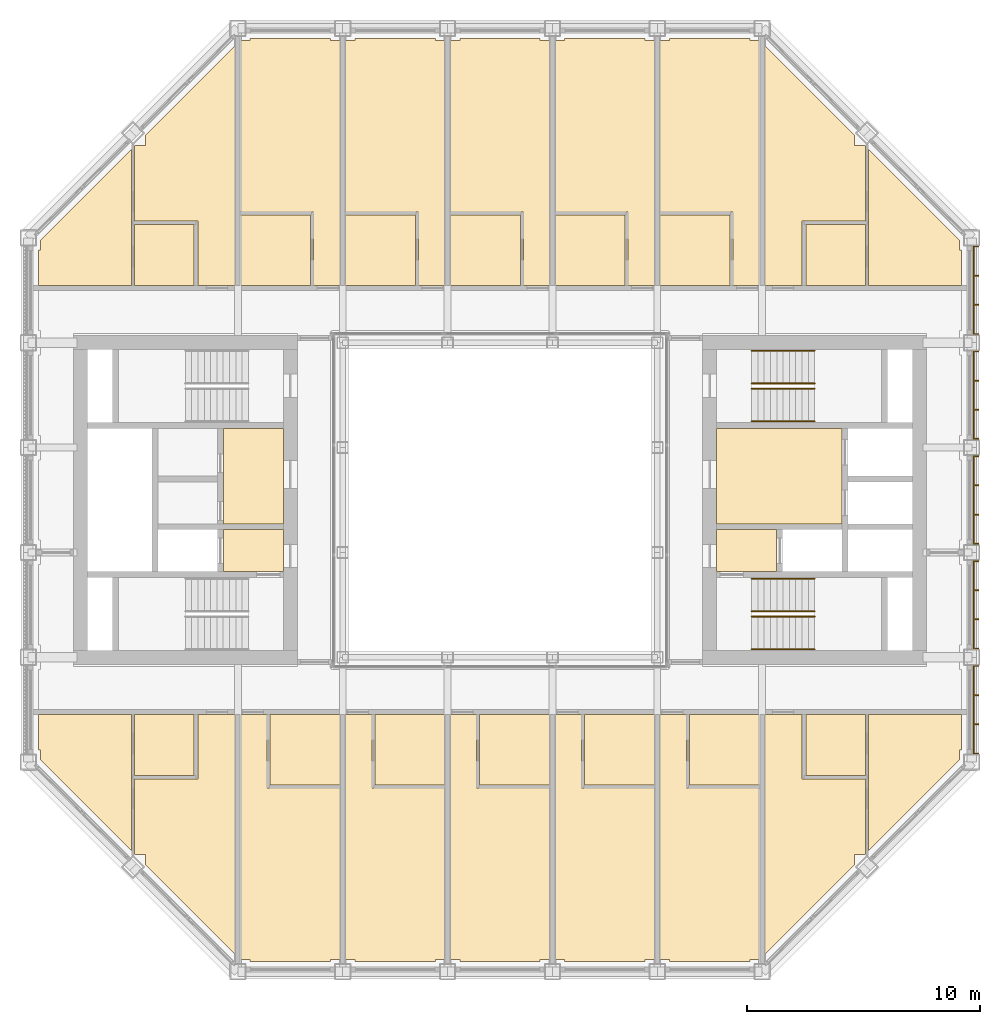
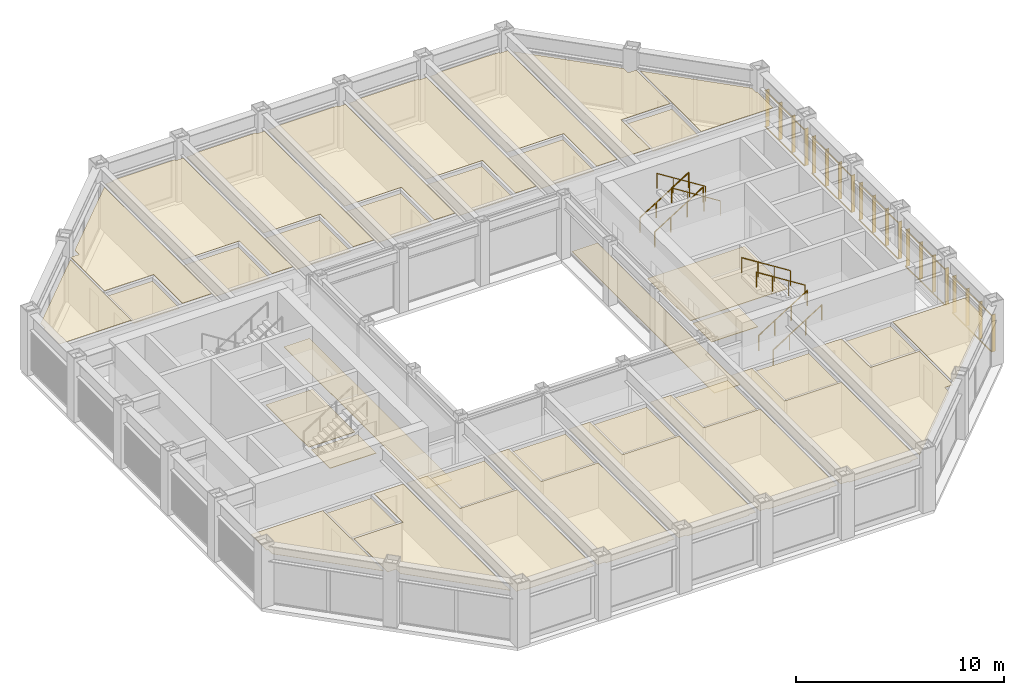
# One storey, part 17 of 18: 8 railings, 3 coverings, 1 shading device.
"""IFC4 building model written with IfcOpenShell, lengths in metres."""

import ifcopenshell
import ifcopenshell.guid

model = None  # the IFC model being written
_history = None  # IfcOwnerHistory: only IFC2X3 demands one
_inside = {}  # id of a spatial element -> (the spatial element, [elements in it])
_under = {}  # id of a project, library or spatial element -> (it, [spatial elements below it])
_declared = {}  # id of a project -> (the project, [libraries it declares])
_typed = {}  # id of a type object -> (the type object, [elements of that type])
_made_of = {}  # id of a material, layer set ... -> (it, [elements and type objects made of it])


def new_model(schema):
    """Start an empty IFC model of exactly this schema.

    Asked for "IFC4X3", IfcOpenShell would pick the latest addendum, in which some entities
    have other attributes; the version numbers below select the first issue.
    IFC2X3 requires an IfcOwnerHistory on every rooted entity: one is made here for all.
    """
    global model, _history
    if schema == "IFC4X3":
        model = ifcopenshell.file(schema_version=(4, 3, 0, 0))
    else:
        model = ifcopenshell.file(schema=schema)
    _inside.clear()
    _under.clear()
    _declared.clear()
    _typed.clear()
    _made_of.clear()
    _history = None
    if model.schema == "IFC2X3":
        org = make("IfcOrganization", Name="unknown")
        user = make(
            "IfcPersonAndOrganization",
            ThePerson=make("IfcPerson", FamilyName="unknown"),
            TheOrganization=org,
        )
        app = make(
            "IfcApplication",
            ApplicationDeveloper=org,
            Version="unknown",
            ApplicationFullName="unknown",
            ApplicationIdentifier="unknown",
        )
        _history = make(
            "IfcOwnerHistory",
            OwningUser=user,
            OwningApplication=app,
            ChangeAction="ADDED",
            CreationDate=0,
        )
    return model


def make(cls, **values):
    """One entity of the class cls with the attributes given. An attribute that is None is left unset."""
    return model.create_entity(
        cls, **{name: value for name, value in values.items() if value is not None}
    )


def rooted(cls, **values):
    """An entity with a GlobalId (a new one), such as an element, a storey or a relation."""
    return make(cls, GlobalId=ifcopenshell.guid.new(), OwnerHistory=_history, **values)


def si_unit(unit_type, name, prefix=None):
    """IfcSIUnit, for example si_unit("LENGTHUNIT", "METRE", prefix="MILLI")."""
    return make("IfcSIUnit", UnitType=unit_type, Prefix=prefix, Name=name)


def assignment(units):
    """IfcUnitAssignment: the units of a project."""
    return None if units is None else make("IfcUnitAssignment", Units=units)


def point(xyz):
    """IfcCartesianPoint."""
    return None if xyz is None else make("IfcCartesianPoint", Coordinates=xyz)


def direction(xyz):
    """IfcDirection."""
    return None if xyz is None else make("IfcDirection", DirectionRatios=xyz)


def frame(location, z_axis=None, x_axis=None):
    """IfcAxis2Placement3D, a coordinate frame: its origin and axes. An axis left out is left unset."""
    return make(
        "IfcAxis2Placement3D",
        Location=point(location),
        Axis=direction(z_axis),
        RefDirection=direction(x_axis),
    )


def frame_2d(location, x_axis=None):
    """IfcAxis2Placement2D, a coordinate frame in the plane: its origin and x axis."""
    return make(
        "IfcAxis2Placement2D", Location=point(location), RefDirection=direction(x_axis)
    )


def origin():
    """The frame at (0, 0, 0) with its axes left unset."""
    return frame((0.0, 0.0, 0.0))


def origin_2d():
    """The frame at (0, 0) in the plane with its x axis left unset."""
    return frame_2d((0.0, 0.0))


def place(relative_to, where):
    """IfcLocalPlacement: puts the frame where relative to a parent placement (None: the world)."""
    return make(
        "IfcLocalPlacement", PlacementRelTo=relative_to, RelativePlacement=where
    )


def context(
    kind, dimensions, precision=None, world=None, true_north=None, identifier=None
):
    """IfcGeometricRepresentationContext, for example the 3D "Model" context."""
    return make(
        "IfcGeometricRepresentationContext",
        ContextIdentifier=identifier,
        ContextType=kind,
        CoordinateSpaceDimension=dimensions,
        Precision=precision,
        WorldCoordinateSystem=world,
        TrueNorth=true_north,
    )


def subcontext(parent, identifier, kind, view, scale=None):
    """IfcGeometricRepresentationSubContext, for example "Body" below "Model"."""
    return make(
        "IfcGeometricRepresentationSubContext",
        ContextIdentifier=identifier,
        ContextType=kind,
        ParentContext=parent,
        TargetScale=scale,
        TargetView=view,
    )


def project(units=None, contexts=None):
    """IfcProject with its units and contexts."""
    return rooted(
        "IfcProject",
        Name="project",
        RepresentationContexts=contexts,
        UnitsInContext=assignment(units),
    )


def spatial(cls, under=None, at=None, **own):
    """A site, building, storey or space (cls), placed at a placement, below another one or the project."""
    s = rooted(cls, ObjectPlacement=at, **own)
    if under is not None:
        _under.setdefault(under.id(), (under, []))[1].append(s)
    return s


def point_list(points):
    """IfcCartesianPointList2D or 3D."""
    cls = (
        "IfcCartesianPointList2D" if len(points[0]) == 2 else "IfcCartesianPointList3D"
    )
    return make(cls, CoordList=points)


def line(*indices):
    """IfcLineIndex: a straight run through numbered points of an indexed curve."""
    return model.create_entity("IfcLineIndex", indices)


def indexed_curve(points, segments=None, self_intersect=None):
    """IfcIndexedPolyCurve: lines and arcs through numbered points (the first is 1)."""
    return make(
        "IfcIndexedPolyCurve",
        Points=point_list(points),
        Segments=segments,
        SelfIntersect=self_intersect,
    )


def profile(cls, at=None, kind="AREA", **sizes):
    """A parametric profile (cls). Its sizes go by their IFC names, for example OverallWidth=200.0."""
    return make(cls, ProfileType=kind, Position=at, **sizes)


def rectangle(**sizes):
    """IfcRectangleProfileDef."""
    return profile("IfcRectangleProfileDef", **sizes)


def circle(**sizes):
    """IfcCircleProfileDef."""
    return profile("IfcCircleProfileDef", **sizes)


def outline(outer, holes=None, kind="AREA"):
    """IfcArbitraryClosedProfileDef: a profile drawn as a closed curve; with holes, ...WithVoids."""
    if holes is None:
        return make("IfcArbitraryClosedProfileDef", ProfileType=kind, OuterCurve=outer)
    return make(
        "IfcArbitraryProfileDefWithVoids",
        ProfileType=kind,
        OuterCurve=outer,
        InnerCurves=holes,
    )


def extrude(swept, where, along, depth):
    """IfcExtrudedAreaSolid: the profile swept, set in the frame where, extruded along a direction by depth."""
    return make(
        "IfcExtrudedAreaSolid",
        SweptArea=swept,
        Position=where,
        ExtrudedDirection=direction(along),
        Depth=depth,
    )


def shape(context_of_items, identifier, shape_type, items):
    """IfcShapeRepresentation: the items that make up one representation, for example the "Body"."""
    return make(
        "IfcShapeRepresentation",
        ContextOfItems=context_of_items,
        RepresentationIdentifier=identifier,
        RepresentationType=shape_type,
        Items=items,
    )


def material(Name=None, Category=None):
    """IfcMaterial."""
    return make("IfcMaterial", Name=Name, Category=Category)


def layer(
    of_material, thickness, ventilated=None, Name=None, Category=None, Priority=None
):
    """IfcMaterialLayer: one layer of a wall or slab, of a material (None: an air gap)."""
    return make(
        "IfcMaterialLayer",
        Material=of_material,
        LayerThickness=thickness,
        IsVentilated=ventilated,
        Name=Name,
        Category=Category,
        Priority=Priority,
    )


def layer_set(layers, Name=None):
    """IfcMaterialLayerSet."""
    return make("IfcMaterialLayerSet", MaterialLayers=layers, LayerSetName=Name)


def made_of(thing, what):
    """Note that an element or type object is made of a material, layer set ...; save() writes the relation."""
    if what is not None:
        _made_of.setdefault(what.id(), (what, []))[1].append(thing)
    return thing


def type_object(cls, material=None, **own):
    """A type object (cls), such as IfcWallType, which elements share."""
    return made_of(rooted(cls, **own), material)


def element(
    cls,
    number,
    at=None,
    inside=None,
    cuts=None,
    type_object=None,
    material=None,
    context=None,
    identifier="Body",
    shape_type=None,
    held_by="IfcProductDefinitionShape",
    body=None,
    shapes=None,
    **own,
):
    """One element of the class cls, such as IfcWall. Its Tag is "e" and its number.

    at: its placement. inside: the storey or other place that contains it. cuts: it is an
    opening in that element (IfcRelVoidsElement). A single representation is given by context,
    identifier, shape_type and body (its items); several are given by shapes. held_by: the class
    of the entity that holds the representations. save() writes the other relations.
    """
    e = rooted(cls, Tag="e%d" % number, ObjectPlacement=at, **own)
    if body is not None:
        shapes = [shape(context, identifier, shape_type, body)]
    if shapes is not None:
        e.Representation = make(held_by, Representations=shapes)
    if inside is not None:
        _inside.setdefault(inside.id(), (inside, []))[1].append(e)
    if cuts is not None:
        rooted(
            "IfcRelVoidsElement", RelatingBuildingElement=cuts, RelatedOpeningElement=e
        )
    if type_object is not None:
        _typed.setdefault(type_object.id(), (type_object, []))[1].append(e)
    return made_of(e, material)


def aggregate(whole, parts):
    """IfcRelAggregates: a whole, such as a stair, and the parts it consists of."""
    return rooted("IfcRelAggregates", RelatingObject=whole, RelatedObjects=parts)


def save(model, path):
    """Write the relations noted so far, then the file.

    IfcRelAggregates (storeys below a building ...), IfcRelContainedInSpatialStructure (elements
    in a storey), IfcRelDefinesByType, IfcRelAssociatesMaterial and IfcRelDeclares: one each for
    every whole, place, type object, material and project.
    """
    for whole, parts in _under.values():
        aggregate(whole, parts)
    for where, things in _inside.values():
        rooted(
            "IfcRelContainedInSpatialStructure",
            RelatedElements=things,
            RelatingStructure=where,
        )
    for kind, things in _typed.values():
        rooted("IfcRelDefinesByType", RelatedObjects=things, RelatingType=kind)
    for what, things in _made_of.values():
        rooted("IfcRelAssociatesMaterial", RelatedObjects=things, RelatingMaterial=what)
    for by, libraries in _declared.values():
        rooted("IfcRelDeclares", RelatingContext=by, RelatedDefinitions=libraries)
    model.write(path)


model = new_model("IFC4")

# Units and contexts
model_context = context("Model", 3, precision=1e-05, world=origin(), true_north=direction((0.0, 1.0)))
body_context = subcontext(model_context, "Body", "Model", "MODEL_VIEW")
ifc_project = project(units=[si_unit("LENGTHUNIT", "METRE"), si_unit("AREAUNIT", "SQUARE_METRE"), si_unit("VOLUMEUNIT", "CUBIC_METRE"), si_unit("PLANEANGLEUNIT", "RADIAN"), si_unit("MASSUNIT", "GRAM", prefix="KILO")], contexts=[model_context])

# Site, building, storey
site_placement = place(None, origin())
site = spatial("IfcSite", under=ifc_project, at=site_placement, CompositionType="ELEMENT")
building_placement = place(site_placement, origin())
building = spatial("IfcBuilding", under=site, at=building_placement, Name="Msasa Ring Tower", CompositionType="ELEMENT")
storey_placement = place(building_placement, frame((0.0, 0.0, 208.300048828125)))
storey = spatial("IfcBuildingStorey", under=building, at=storey_placement, Name="L54", CompositionType="ELEMENT", Elevation=208.300048828125)

# Shading device
ifc_material_1 = material(Name="Extruded terracotta on aluminium carriers", Category="masonry")
shading_device_type = type_object("IfcShadingDeviceType", Name="BS2 TERRACOTTA FIN SCREEN 40x200 AT 1350", PredefinedType="USERDEFINED", material=ifc_material_1)
shading_device_placement = place(storey_placement, origin())
element("IfcShadingDevice", 1, at=shading_device_placement, inside=storey, type_object=shading_device_type, Name="Terracotta fin screen E L54", ObjectType="BAGUETTE", PredefinedType="USERDEFINED", context=body_context, shape_type="SweptSolid", body=[
    extrude(rectangle(XDim=0.06005859375, YDim=0.0400390625, at=origin_2d()), frame((20.330078125, -10.89990234375, 0.329833984375), z_axis=(0.0, 1.0, 0.0), x_axis=(0.0, 0.0, 1.0)), (0.0, 0.0, 1.0), 3.800048828125),
    extrude(rectangle(XDim=0.06005859375, YDim=0.0400390625, at=origin_2d()), frame((20.330078125, -10.89990234375, 2.448974609375), z_axis=(0.0, 1.0, 0.0), x_axis=(0.0, 0.0, 1.0)), (0.0, 0.0, 1.0), 3.800048828125),
    extrude(rectangle(XDim=0.0400390625, YDim=0.199951171875, at=origin_2d()), frame((20.445068359375, -10.8798828125, 0.300048828125), z_axis=(0.0, 0.0, 1.0), x_axis=(0.0, 1.0, 0.0)), (0.0, 0.0, 1.0), 2.178955078125),
    extrude(rectangle(XDim=0.0400390625, YDim=0.199951171875, at=origin_2d()), frame((20.445068359375, -9.626708984375, 0.300048828125), z_axis=(0.0, 0.0, 1.0), x_axis=(0.0, 1.0, 0.0)), (0.0, 0.0, 1.0), 2.178955078125),
    extrude(rectangle(XDim=0.0400390625, YDim=0.199951171875, at=origin_2d()), frame((20.445068359375, -8.373291015625, 0.300048828125), z_axis=(0.0, 0.0, 1.0), x_axis=(0.0, 1.0, 0.0)), (0.0, 0.0, 1.0), 2.178955078125),
    extrude(rectangle(XDim=0.0400390625, YDim=0.199951171875, at=origin_2d()), frame((20.445068359375, -7.1201171875, 0.300048828125), z_axis=(0.0, 0.0, 1.0), x_axis=(0.0, 1.0, 0.0)), (0.0, 0.0, 1.0), 2.178955078125),
    extrude(rectangle(XDim=0.06005859375, YDim=0.0400390625, at=origin_2d()), frame((20.330078125, -6.39990234375, 0.329833984375), z_axis=(0.0, 1.0, 0.0), x_axis=(0.0, 0.0, 1.0)), (0.0, 0.0, 1.0), 3.800048828125),
    extrude(rectangle(XDim=0.06005859375, YDim=0.0400390625, at=origin_2d()), frame((20.330078125, -6.39990234375, 2.448974609375), z_axis=(0.0, 1.0, 0.0), x_axis=(0.0, 0.0, 1.0)), (0.0, 0.0, 1.0), 3.800048828125),
    extrude(rectangle(XDim=0.0400390625, YDim=0.199951171875, at=origin_2d()), frame((20.445068359375, -6.3798828125, 0.300048828125), z_axis=(0.0, 0.0, 1.0), x_axis=(0.0, 1.0, 0.0)), (0.0, 0.0, 1.0), 2.178955078125),
    extrude(rectangle(XDim=0.0400390625, YDim=0.199951171875, at=origin_2d()), frame((20.445068359375, -5.126708984375, 0.300048828125), z_axis=(0.0, 0.0, 1.0), x_axis=(0.0, 1.0, 0.0)), (0.0, 0.0, 1.0), 2.178955078125),
    extrude(rectangle(XDim=0.0400390625, YDim=0.199951171875, at=origin_2d()), frame((20.445068359375, -3.873291015625, 0.300048828125), z_axis=(0.0, 0.0, 1.0), x_axis=(0.0, 1.0, 0.0)), (0.0, 0.0, 1.0), 2.178955078125),
    extrude(rectangle(XDim=0.0400390625, YDim=0.199951171875, at=origin_2d()), frame((20.445068359375, -2.6201171875, 0.300048828125), z_axis=(0.0, 0.0, 1.0), x_axis=(0.0, 1.0, 0.0)), (0.0, 0.0, 1.0), 2.178955078125),
    extrude(rectangle(XDim=0.06005859375, YDim=0.0400390625, at=origin_2d()), frame((20.330078125, -1.89990234375, 0.329833984375), z_axis=(0.0, 1.0, 0.0), x_axis=(0.0, 0.0, 1.0)), (0.0, 0.0, 1.0), 3.800048828125),
    extrude(rectangle(XDim=0.06005859375, YDim=0.0400390625, at=origin_2d()), frame((20.330078125, -1.89990234375, 2.448974609375), z_axis=(0.0, 1.0, 0.0), x_axis=(0.0, 0.0, 1.0)), (0.0, 0.0, 1.0), 3.800048828125),
    extrude(rectangle(XDim=0.0400390625, YDim=0.199951171875, at=origin_2d()), frame((20.445068359375, -1.8798828125, 0.300048828125), z_axis=(0.0, 0.0, 1.0), x_axis=(0.0, 1.0, 0.0)), (0.0, 0.0, 1.0), 2.178955078125),
    extrude(rectangle(XDim=0.0400390625, YDim=0.199951171875, at=origin_2d()), frame((20.445068359375, -0.626708984375, 0.300048828125), z_axis=(0.0, 0.0, 1.0), x_axis=(0.0, 1.0, 0.0)), (0.0, 0.0, 1.0), 2.178955078125),
    extrude(rectangle(XDim=0.0400390625, YDim=0.199951171875, at=origin_2d()), frame((20.445068359375, 0.626708984375, 0.300048828125), z_axis=(0.0, 0.0, 1.0), x_axis=(0.0, 1.0, 0.0)), (0.0, 0.0, 1.0), 2.178955078125),
    extrude(rectangle(XDim=0.0400390625, YDim=0.199951171875, at=origin_2d()), frame((20.445068359375, 1.8798828125, 0.300048828125), z_axis=(0.0, 0.0, 1.0), x_axis=(0.0, 1.0, 0.0)), (0.0, 0.0, 1.0), 2.178955078125),
    extrude(rectangle(XDim=0.06005859375, YDim=0.0400390625, at=origin_2d()), frame((20.330078125, 2.60009765625, 0.329833984375), z_axis=(0.0, 1.0, 0.0), x_axis=(0.0, 0.0, 1.0)), (0.0, 0.0, 1.0), 3.800048828125),
    extrude(rectangle(XDim=0.06005859375, YDim=0.0400390625, at=origin_2d()), frame((20.330078125, 2.60009765625, 2.448974609375), z_axis=(0.0, 1.0, 0.0), x_axis=(0.0, 0.0, 1.0)), (0.0, 0.0, 1.0), 3.800048828125),
    extrude(rectangle(XDim=0.0400390625, YDim=0.199951171875, at=origin_2d()), frame((20.445068359375, 2.6201171875, 0.300048828125), z_axis=(0.0, 0.0, 1.0), x_axis=(0.0, 1.0, 0.0)), (0.0, 0.0, 1.0), 2.178955078125),
    extrude(rectangle(XDim=0.0400390625, YDim=0.199951171875, at=origin_2d()), frame((20.445068359375, 3.873291015625, 0.300048828125), z_axis=(0.0, 0.0, 1.0), x_axis=(0.0, 1.0, 0.0)), (0.0, 0.0, 1.0), 2.178955078125),
    extrude(rectangle(XDim=0.0400390625, YDim=0.199951171875, at=origin_2d()), frame((20.445068359375, 5.126708984375, 0.300048828125), z_axis=(0.0, 0.0, 1.0), x_axis=(0.0, 1.0, 0.0)), (0.0, 0.0, 1.0), 2.178955078125),
    extrude(rectangle(XDim=0.0400390625, YDim=0.199951171875, at=origin_2d()), frame((20.445068359375, 6.3798828125, 0.300048828125), z_axis=(0.0, 0.0, 1.0), x_axis=(0.0, 1.0, 0.0)), (0.0, 0.0, 1.0), 2.178955078125),
    extrude(rectangle(XDim=0.06005859375, YDim=0.0400390625, at=origin_2d()), frame((20.330078125, 7.10009765625, 0.329833984375), z_axis=(0.0, 1.0, 0.0), x_axis=(0.0, 0.0, 1.0)), (0.0, 0.0, 1.0), 3.800048828125),
    extrude(rectangle(XDim=0.06005859375, YDim=0.0400390625, at=origin_2d()), frame((20.330078125, 7.10009765625, 2.448974609375), z_axis=(0.0, 1.0, 0.0), x_axis=(0.0, 0.0, 1.0)), (0.0, 0.0, 1.0), 3.800048828125),
    extrude(rectangle(XDim=0.0400390625, YDim=0.199951171875, at=origin_2d()), frame((20.445068359375, 7.1201171875, 0.300048828125), z_axis=(0.0, 0.0, 1.0), x_axis=(0.0, 1.0, 0.0)), (0.0, 0.0, 1.0), 2.178955078125),
    extrude(rectangle(XDim=0.0400390625, YDim=0.199951171875, at=origin_2d()), frame((20.445068359375, 8.373291015625, 0.300048828125), z_axis=(0.0, 0.0, 1.0), x_axis=(0.0, 1.0, 0.0)), (0.0, 0.0, 1.0), 2.178955078125),
    extrude(rectangle(XDim=0.0400390625, YDim=0.199951171875, at=origin_2d()), frame((20.445068359375, 9.626708984375, 0.300048828125), z_axis=(0.0, 0.0, 1.0), x_axis=(0.0, 1.0, 0.0)), (0.0, 0.0, 1.0), 2.178955078125),
    extrude(rectangle(XDim=0.0400390625, YDim=0.199951171875, at=origin_2d()), frame((20.445068359375, 10.8798828125, 0.300048828125), z_axis=(0.0, 0.0, 1.0), x_axis=(0.0, 1.0, 0.0)), (0.0, 0.0, 1.0), 2.178955078125),
])

# Coverings
ifc_material_2 = material(Name="Gypsum plasterboard on a steel suspension grid", Category="steel")
ifc_layer_1 = layer(ifc_material_2, 0.014892578125)
ifc_layer_set_1 = layer_set([ifc_layer_1], Name="C1 SUSPENDED PLASTERBOARD CEILING 15")
covering_type_1 = type_object("IfcCoveringType", Name="C1 SUSPENDED PLASTERBOARD CEILING 15", PredefinedType="CEILING", material=ifc_layer_set_1)
covering_1_placement = place(storey_placement, frame((0.0, 0.0, 2.634033203125)))
element("IfcCovering", 2, at=covering_1_placement, inside=storey, type_object=covering_type_1, Name="Suspended Plasterboard Ceiling 15 L54", PredefinedType="CEILING", context=body_context, shape_type="SweptSolid", body=[
    extrude(outline(indexed_curve([(-15.810546875, -15.052490234375), (-19.724609375, -11.138427734375), (-19.724609375, -10.724609375), (-19.799560546875, -10.724609375), (-19.799560546875, -9.200439453125), (-15.810546875, -9.200439453125)], segments=[line(1, 2, 3, 4, 5, 6, 1)], self_intersect=False)), origin(), (0.0, 0.0, 1.0), 0.014892578125),
    extrude(outline(indexed_curve([(-19.799560546875, 9.200439453125), (-19.799560546875, 10.724609375), (-19.724609375, 10.724609375), (-19.724609375, 11.138427734375), (-15.810546875, 15.052490234375), (-15.810546875, 9.200439453125)], segments=[line(1, 2, 3, 4, 5, 6, 1)], self_intersect=False)), origin(), (0.0, 0.0, 1.0), 0.014892578125),
    extrude(outline(indexed_curve([(-11.3505859375, -9.200439453125), (-11.3505859375, -19.512451171875), (-15.224609375, -15.638427734375), (-15.224609375, -15.224609375), (-15.638427734375, -15.224609375), (-15.689453125, -15.17333984375), (-15.689453125, -11.98046875), (-12.969482421875, -11.98046875), (-12.969482421875, -9.200439453125)], segments=[line(1, 2, 3, 4, 5, 6, 7, 8, 9, 1)], self_intersect=False)), origin(), (0.0, 0.0, 1.0), 0.014892578125),
    extrude(outline(indexed_curve([(-15.638427734375, 15.224609375), (-15.224609375, 15.224609375), (-15.224609375, 15.638427734375), (-11.3505859375, 19.512451171875), (-11.3505859375, 9.200439453125), (-12.969482421875, 9.200439453125), (-12.969482421875, 11.98046875), (-15.689453125, 11.98046875), (-15.689453125, 15.17333984375)], segments=[line(1, 2, 3, 4, 5, 6, 7, 8, 9, 1)], self_intersect=False)), origin(), (0.0, 0.0, 1.0), 0.014892578125),
    extrude(outline(indexed_curve([(-10.724609375, -19.799560546875), (-10.724609375, -19.724609375), (-11.138427734375, -19.724609375), (-11.1494140625, -19.71337890625), (-11.1494140625, -9.200439453125), (-10.00048828125, -9.200439453125), (-10.00048828125, -12.3505859375), (-6.8505859375, -12.3505859375), (-6.8505859375, -19.724609375), (-7.275390625, -19.724609375), (-7.275390625, -19.799560546875)], segments=[line(1, 2, 3, 4, 5, 6, 7, 8, 9, 10, 11, 1)], self_intersect=False)), origin(), (0.0, 0.0, 1.0), 0.014892578125),
    extrude(outline(indexed_curve([(-7.275390625, 19.799560546875), (-7.275390625, 19.724609375), (-6.8505859375, 19.724609375), (-6.8505859375, 9.200439453125), (-7.99951171875, 9.200439453125), (-7.99951171875, 12.3505859375), (-11.1494140625, 12.3505859375), (-11.1494140625, 19.71337890625), (-11.138427734375, 19.724609375), (-10.724609375, 19.724609375), (-10.724609375, 19.799560546875)], segments=[line(1, 2, 3, 4, 5, 6, 7, 8, 9, 10, 11, 1)], self_intersect=False)), origin(), (0.0, 0.0, 1.0), 0.014892578125),
    extrude(outline(indexed_curve([(-6.224609375, -19.799560546875), (-6.224609375, -19.724609375), (-6.6494140625, -19.724609375), (-6.6494140625, -9.200439453125), (-5.50048828125, -9.200439453125), (-5.50048828125, -12.3505859375), (-2.3505859375, -12.3505859375), (-2.3505859375, -19.724609375), (-2.775390625, -19.724609375), (-2.775390625, -19.799560546875)], segments=[line(1, 2, 3, 4, 5, 6, 7, 8, 9, 10, 1)], self_intersect=False)), origin(), (0.0, 0.0, 1.0), 0.014892578125),
    extrude(outline(indexed_curve([(-2.3505859375, 9.200439453125), (-3.49951171875, 9.200439453125), (-3.49951171875, 12.3505859375), (-6.6494140625, 12.3505859375), (-6.6494140625, 19.724609375), (-6.224609375, 19.724609375), (-6.224609375, 19.799560546875), (-2.775390625, 19.799560546875), (-2.775390625, 19.724609375), (-2.3505859375, 19.724609375)], segments=[line(1, 2, 3, 4, 5, 6, 7, 8, 9, 10, 1)], self_intersect=False)), origin(), (0.0, 0.0, 1.0), 0.014892578125),
    extrude(outline(indexed_curve([(-1.724609375, -19.799560546875), (-1.724609375, -19.724609375), (-2.1494140625, -19.724609375), (-2.1494140625, -9.200439453125), (-1.00048828125, -9.200439453125), (-1.00048828125, -12.3505859375), (2.1494140625, -12.3505859375), (2.1494140625, -19.724609375), (1.724609375, -19.724609375), (1.724609375, -19.799560546875)], segments=[line(1, 2, 3, 4, 5, 6, 7, 8, 9, 10, 1)], self_intersect=False)), origin(), (0.0, 0.0, 1.0), 0.014892578125),
    extrude(outline(indexed_curve([(1.724609375, 19.799560546875), (1.724609375, 19.724609375), (2.1494140625, 19.724609375), (2.1494140625, 9.200439453125), (1.00048828125, 9.200439453125), (1.00048828125, 12.3505859375), (-2.1494140625, 12.3505859375), (-2.1494140625, 19.724609375), (-1.724609375, 19.724609375), (-1.724609375, 19.799560546875)], segments=[line(1, 2, 3, 4, 5, 6, 7, 8, 9, 10, 1)], self_intersect=False)), origin(), (0.0, 0.0, 1.0), 0.014892578125),
    extrude(outline(indexed_curve([(2.775390625, -19.799560546875), (2.775390625, -19.724609375), (2.3505859375, -19.724609375), (2.3505859375, -9.200439453125), (3.49951171875, -9.200439453125), (3.49951171875, -12.3505859375), (6.6494140625, -12.3505859375), (6.6494140625, -19.724609375), (6.224609375, -19.724609375), (6.224609375, -19.799560546875)], segments=[line(1, 2, 3, 4, 5, 6, 7, 8, 9, 10, 1)], self_intersect=False)), origin(), (0.0, 0.0, 1.0), 0.014892578125),
    extrude(outline(indexed_curve([(6.6494140625, 9.200439453125), (5.50048828125, 9.200439453125), (5.50048828125, 12.3505859375), (2.3505859375, 12.3505859375), (2.3505859375, 19.724609375), (2.775390625, 19.724609375), (2.775390625, 19.799560546875), (6.224609375, 19.799560546875), (6.224609375, 19.724609375), (6.6494140625, 19.724609375)], segments=[line(1, 2, 3, 4, 5, 6, 7, 8, 9, 10, 1)], self_intersect=False)), origin(), (0.0, 0.0, 1.0), 0.014892578125),
    extrude(outline(indexed_curve([(11.138427734375, -19.724609375), (10.724609375, -19.724609375), (10.724609375, -19.799560546875), (7.275390625, -19.799560546875), (7.275390625, -19.724609375), (6.8505859375, -19.724609375), (6.8505859375, -9.200439453125), (7.99951171875, -9.200439453125), (7.99951171875, -12.3505859375), (11.1494140625, -12.3505859375), (11.1494140625, -19.71337890625)], segments=[line(1, 2, 3, 4, 5, 6, 7, 8, 9, 10, 11, 1)], self_intersect=False)), origin(), (0.0, 0.0, 1.0), 0.014892578125),
    extrude(outline(indexed_curve([(11.1494140625, 19.71337890625), (11.1494140625, 9.200439453125), (10.00048828125, 9.200439453125), (10.00048828125, 12.3505859375), (6.8505859375, 12.3505859375), (6.8505859375, 19.724609375), (7.275390625, 19.724609375), (7.275390625, 19.799560546875), (10.724609375, 19.799560546875), (10.724609375, 19.724609375), (11.138427734375, 19.724609375)], segments=[line(1, 2, 3, 4, 5, 6, 7, 8, 9, 10, 11, 1)], self_intersect=False)), origin(), (0.0, 0.0, 1.0), 0.014892578125),
    extrude(outline(indexed_curve([(15.638427734375, -15.224609375), (15.224609375, -15.224609375), (15.224609375, -15.638427734375), (11.3505859375, -19.512451171875), (11.3505859375, -9.200439453125), (12.969482421875, -9.200439453125), (12.969482421875, -11.98046875), (15.689453125, -11.98046875), (15.689453125, -15.17333984375)], segments=[line(1, 2, 3, 4, 5, 6, 7, 8, 9, 1)], self_intersect=False)), origin(), (0.0, 0.0, 1.0), 0.014892578125),
    extrude(outline(indexed_curve([(11.3505859375, 9.200439453125), (11.3505859375, 19.512451171875), (15.224609375, 15.638427734375), (15.224609375, 15.224609375), (15.638427734375, 15.224609375), (15.689453125, 15.17333984375), (15.689453125, 11.98046875), (12.969482421875, 11.98046875), (12.969482421875, 9.200439453125)], segments=[line(1, 2, 3, 4, 5, 6, 7, 8, 9, 1)], self_intersect=False)), origin(), (0.0, 0.0, 1.0), 0.014892578125),
    extrude(outline(indexed_curve([(19.799560546875, -9.200439453125), (19.799560546875, -10.724609375), (19.724609375, -10.724609375), (19.724609375, -11.138427734375), (15.810546875, -15.052490234375), (15.810546875, -9.200439453125)], segments=[line(1, 2, 3, 4, 5, 6, 1)], self_intersect=False)), origin(), (0.0, 0.0, 1.0), 0.014892578125),
    extrude(outline(indexed_curve([(15.810546875, 15.052490234375), (19.724609375, 11.138427734375), (19.724609375, 10.724609375), (19.799560546875, 10.724609375), (19.799560546875, 9.200439453125), (15.810546875, 9.200439453125)], segments=[line(1, 2, 3, 4, 5, 6, 1)], self_intersect=False)), origin(), (0.0, 0.0, 1.0), 0.014892578125),
])
ifc_material_3 = material(Name="Moisture-resistant gypsum plasterboard on a steel suspension grid", Category="steel")
ifc_layer_2 = layer(ifc_material_3, 0.014892578125)
ifc_layer_set_2 = layer_set([ifc_layer_2], Name="C2 MOISTURE-RESISTANT PLASTERBOARD CEILING 15")
covering_type_2 = type_object("IfcCoveringType", Name="C2 MOISTURE-RESISTANT PLASTERBOARD CEILING 15", PredefinedType="CEILING", material=ifc_layer_set_2)
covering_2_placement = place(storey_placement, frame((0.0, 0.0, 2.39990234375)))
element("IfcCovering", 3, at=covering_2_placement, inside=storey, type_object=covering_type_2, Name="Moisture-Resistant Plasterboard Ceiling 15 L54", PredefinedType="CEILING", context=body_context, shape_type="SweptSolid", body=[
    extrude(outline(indexed_curve([(-15.689453125, -9.200439453125), (-13.130615234375, -9.200439453125), (-13.130615234375, -11.819580078125), (-15.689453125, -11.819580078125)], segments=[line(1, 2, 3, 4, 1)], self_intersect=False)), origin(), (0.0, 0.0, 1.0), 0.01513671875),
    extrude(outline(indexed_curve([(-15.689453125, 11.819580078125), (-13.130615234375, 11.819580078125), (-13.130615234375, 9.200439453125), (-15.689453125, 9.200439453125)], segments=[line(1, 2, 3, 4, 1)], self_intersect=False)), origin(), (0.0, 0.0, 1.0), 0.01513671875),
    extrude(outline(indexed_curve([(-11.1494140625, 12.224609375), (-8.12548828125, 12.224609375), (-8.12548828125, 9.200439453125), (-11.1494140625, 9.200439453125)], segments=[line(1, 2, 3, 4, 1)], self_intersect=False)), origin(), (0.0, 0.0, 1.0), 0.01513671875),
    extrude(outline(indexed_curve([(-6.8505859375, -9.200439453125), (-6.8505859375, -12.224609375), (-9.87451171875, -12.224609375), (-9.87451171875, -9.200439453125)], segments=[line(1, 2, 3, 4, 1)], self_intersect=False)), origin(), (0.0, 0.0, 1.0), 0.01513671875),
    extrude(outline(indexed_curve([(-6.6494140625, 9.200439453125), (-6.6494140625, 12.224609375), (-3.62548828125, 12.224609375), (-3.62548828125, 9.200439453125)], segments=[line(1, 2, 3, 4, 1)], self_intersect=False)), origin(), (0.0, 0.0, 1.0), 0.01513671875),
    extrude(outline(indexed_curve([(-2.3505859375, -9.200439453125), (-2.3505859375, -12.224609375), (-5.37451171875, -12.224609375), (-5.37451171875, -9.200439453125)], segments=[line(1, 2, 3, 4, 1)], self_intersect=False)), origin(), (0.0, 0.0, 1.0), 0.01513671875),
    extrude(outline(indexed_curve([(-2.1494140625, 12.224609375), (0.87451171875, 12.224609375), (0.87451171875, 9.200439453125), (-2.1494140625, 9.200439453125)], segments=[line(1, 2, 3, 4, 1)], self_intersect=False)), origin(), (0.0, 0.0, 1.0), 0.01513671875),
    extrude(outline(indexed_curve([(2.1494140625, -9.200439453125), (2.1494140625, -12.224609375), (-0.87451171875, -12.224609375), (-0.87451171875, -9.200439453125)], segments=[line(1, 2, 3, 4, 1)], self_intersect=False)), origin(), (0.0, 0.0, 1.0), 0.01513671875),
    extrude(outline(indexed_curve([(2.3505859375, 12.224609375), (5.37451171875, 12.224609375), (5.37451171875, 9.200439453125), (2.3505859375, 9.200439453125)], segments=[line(1, 2, 3, 4, 1)], self_intersect=False)), origin(), (0.0, 0.0, 1.0), 0.01513671875),
    extrude(outline(indexed_curve([(6.6494140625, -9.200439453125), (6.6494140625, -12.224609375), (3.62548828125, -12.224609375), (3.62548828125, -9.200439453125)], segments=[line(1, 2, 3, 4, 1)], self_intersect=False)), origin(), (0.0, 0.0, 1.0), 0.01513671875),
    extrude(outline(indexed_curve([(6.8505859375, 9.200439453125), (6.8505859375, 12.224609375), (9.87451171875, 12.224609375), (9.87451171875, 9.200439453125)], segments=[line(1, 2, 3, 4, 1)], self_intersect=False)), origin(), (0.0, 0.0, 1.0), 0.01513671875),
    extrude(outline(indexed_curve([(11.1494140625, -9.200439453125), (11.1494140625, -12.224609375), (8.12548828125, -12.224609375), (8.12548828125, -9.200439453125)], segments=[line(1, 2, 3, 4, 1)], self_intersect=False)), origin(), (0.0, 0.0, 1.0), 0.01513671875),
    extrude(outline(indexed_curve([(13.130615234375, -9.200439453125), (15.689453125, -9.200439453125), (15.689453125, -11.819580078125), (13.130615234375, -11.819580078125)], segments=[line(1, 2, 3, 4, 1)], self_intersect=False)), origin(), (0.0, 0.0, 1.0), 0.01513671875),
    extrude(outline(indexed_curve([(13.130615234375, 11.819580078125), (15.689453125, 11.819580078125), (15.689453125, 9.200439453125), (13.130615234375, 9.200439453125)], segments=[line(1, 2, 3, 4, 1)], self_intersect=False)), origin(), (0.0, 0.0, 1.0), 0.01513671875),
])
ifc_material_4 = material(Name="Honed granite tiles on a mortar bed", Category="masonry")
ifc_layer_3 = layer(ifc_material_4, 0.030029296875)
ifc_layer_set_3 = layer_set([ifc_layer_3], Name="F1 HONED GRANITE ON BEDDING 30")
covering_type_3 = type_object("IfcCoveringType", Name="F1 HONED GRANITE ON BEDDING 30", PredefinedType="FLOORING", material=ifc_layer_set_3)
covering_3_placement = place(storey_placement, origin())
element("IfcCovering", 4, at=covering_3_placement, inside=storey, type_object=covering_type_3, Name="Honed Granite On Bedding 30 L54", PredefinedType="FLOORING", context=body_context, shape_type="SweptSolid", body=[
    extrude(outline(indexed_curve([(-11.87451171875, -3.074462890625), (-11.87451171875, -1.275390625), (-9.300537109375, -1.275390625), (-9.300537109375, -3.074462890625)], segments=[line(1, 2, 3, 4, 1)], self_intersect=False)), origin(), (0.0, 0.0, 1.0), 0.030029296875),
    extrude(outline(indexed_curve([(-11.87451171875, 3.074462890625), (-9.300537109375, 3.074462890625), (-9.300537109375, -1.0244140625), (-11.87451171875, -1.0244140625)], segments=[line(1, 2, 3, 4, 1)], self_intersect=False)), origin(), (0.0, 0.0, 1.0), 0.030029296875),
    extrude(outline(indexed_curve([(-8.699462890625, 6.849609375), (-7.280029296875, 6.849609375), (-7.280029296875, -6.849609375), (-8.699462890625, -6.849609375)], segments=[line(1, 2, 3, 4, 1)], self_intersect=False)), origin(), (0.0, 0.0, 1.0), 0.030029296875),
    extrude(outline(indexed_curve([(7.280029296875, -6.849609375), (7.280029296875, 6.849609375), (8.699462890625, 6.849609375), (8.699462890625, -6.849609375)], segments=[line(1, 2, 3, 4, 1)], self_intersect=False)), origin(), (0.0, 0.0, 1.0), 0.030029296875),
    extrude(outline(indexed_curve([(9.300537109375, -1.275390625), (11.87451171875, -1.275390625), (11.87451171875, -3.074462890625), (9.300537109375, -3.074462890625)], segments=[line(1, 2, 3, 4, 1)], self_intersect=False)), origin(), (0.0, 0.0, 1.0), 0.030029296875),
    extrude(outline(indexed_curve([(9.300537109375, 3.074462890625), (14.674560546875, 3.074462890625), (14.674560546875, -1.0244140625), (9.300537109375, -1.0244140625)], segments=[line(1, 2, 3, 4, 1)], self_intersect=False)), origin(), (0.0, 0.0, 1.0), 0.030029296875),
])

# Railings
ifc_material_5 = material(Name="Stainless steel", Category="steel")
railing_type = type_object("IfcRailingType", Name="HR1 HANDRAIL 900", PredefinedType="HANDRAIL", material=ifc_material_5)
for number, where, name in (
    (5, (10.800048828125, -6.39990234375, 0.17041015625), "Handrail stair SEA L54 1"),
    (6, (10.800048828125, -5.0, 0.17041015625), "Handrail stair SEA L54 2"),
):
    element("IfcRailing", number, at=place(storey_placement, frame(where)), inside=storey, type_object=railing_type, Name=name, PredefinedType="HANDRAIL", context=body_context, shape_type="SweptSolid", body=[
        extrude(circle(Radius=0.02392578125, at=origin_2d()), frame((0.0, 0.0, 0.8759765625), z_axis=(0.845579735284, 0.0, 0.533849146555), x_axis=(0.0, 1.0, 0.0)), (0.0, 0.0, 1.0), 3.193115234375),
        extrude(circle(Radius=0.02099609375, at=origin_2d()), origin(), (0.0, 0.0, 1.0), 0.851806640625),
        extrude(circle(Radius=0.02099609375, at=origin_2d()), frame((0.89990234375, 0.0, 0.568115234375)), (0.0, 0.0, 1.0), 0.851806640625),
        extrude(circle(Radius=0.02099609375, at=origin_2d()), frame((1.800048828125, 0.0, 1.136474609375)), (0.0, 0.0, 1.0), 0.851806640625),
        extrude(circle(Radius=0.02099609375, at=origin_2d()), frame((2.699951171875, 0.0, 1.70458984375)), (0.0, 0.0, 1.0), 0.851806640625),
    ])
for number, where, name in (
    (7, (13.5, -4.77490234375, 2.04541015625), "Handrail stair SEA L54 3"),
    (8, (13.5, -3.375, 2.04541015625), "Handrail stair SEA L54 4"),
):
    element("IfcRailing", number, at=place(storey_placement, frame(where)), inside=storey, type_object=railing_type, Name=name, PredefinedType="HANDRAIL", context=body_context, shape_type="SweptSolid", body=[
        extrude(circle(Radius=0.02392578125, at=origin_2d()), frame((0.0, 0.0, 0.8759765625), z_axis=(-0.845579735284, 0.0, 0.533849146555), x_axis=(0.0, -1.0, 0.0)), (0.0, 0.0, 1.0), 3.193115234375),
        extrude(circle(Radius=0.02099609375, at=origin_2d()), origin(), (0.0, 0.0, 1.0), 0.851806640625),
        extrude(circle(Radius=0.02099609375, at=origin_2d()), frame((-0.89990234375, 0.0, 0.568115234375)), (0.0, 0.0, 1.0), 0.851806640625),
        extrude(circle(Radius=0.02099609375, at=origin_2d()), frame((-1.800048828125, 0.0, 1.136474609375)), (0.0, 0.0, 1.0), 0.851806640625),
        extrude(circle(Radius=0.02099609375, at=origin_2d()), frame((-2.699951171875, 0.0, 1.70458984375)), (0.0, 0.0, 1.0), 0.851806640625),
    ])
for number, where, name in (
    (9, (10.800048828125, 5.0, 0.17041015625), "Handrail stair SEB L54 1"),
    (10, (10.800048828125, 6.39990234375, 0.17041015625), "Handrail stair SEB L54 2"),
):
    element("IfcRailing", number, at=place(storey_placement, frame(where)), inside=storey, type_object=railing_type, Name=name, PredefinedType="HANDRAIL", context=body_context, shape_type="SweptSolid", body=[
        extrude(circle(Radius=0.02392578125, at=origin_2d()), frame((0.0, 0.0, 0.8759765625), z_axis=(0.845579735284, 0.0, 0.533849146555), x_axis=(0.0, 1.0, 0.0)), (0.0, 0.0, 1.0), 3.193115234375),
        extrude(circle(Radius=0.02099609375, at=origin_2d()), origin(), (0.0, 0.0, 1.0), 0.851806640625),
        extrude(circle(Radius=0.02099609375, at=origin_2d()), frame((0.89990234375, 0.0, 0.568115234375)), (0.0, 0.0, 1.0), 0.851806640625),
        extrude(circle(Radius=0.02099609375, at=origin_2d()), frame((1.800048828125, 0.0, 1.136474609375)), (0.0, 0.0, 1.0), 0.851806640625),
        extrude(circle(Radius=0.02099609375, at=origin_2d()), frame((2.699951171875, 0.0, 1.70458984375)), (0.0, 0.0, 1.0), 0.851806640625),
    ])
for number, where, name in (
    (11, (13.5, 3.375, 2.04541015625), "Handrail stair SEB L54 3"),
    (12, (13.5, 4.77490234375, 2.04541015625), "Handrail stair SEB L54 4"),
):
    element("IfcRailing", number, at=place(storey_placement, frame(where)), inside=storey, type_object=railing_type, Name=name, PredefinedType="HANDRAIL", context=body_context, shape_type="SweptSolid", body=[
        extrude(circle(Radius=0.02392578125, at=origin_2d()), frame((0.0, 0.0, 0.8759765625), z_axis=(-0.845579735284, 0.0, 0.533849146555), x_axis=(0.0, -1.0, 0.0)), (0.0, 0.0, 1.0), 3.193115234375),
        extrude(circle(Radius=0.02099609375, at=origin_2d()), origin(), (0.0, 0.0, 1.0), 0.851806640625),
        extrude(circle(Radius=0.02099609375, at=origin_2d()), frame((-0.89990234375, 0.0, 0.568115234375)), (0.0, 0.0, 1.0), 0.851806640625),
        extrude(circle(Radius=0.02099609375, at=origin_2d()), frame((-1.800048828125, 0.0, 1.136474609375)), (0.0, 0.0, 1.0), 0.851806640625),
        extrude(circle(Radius=0.02099609375, at=origin_2d()), frame((-2.699951171875, 0.0, 1.70458984375)), (0.0, 0.0, 1.0), 0.851806640625),
    ])

save(model, "model.ifc")
